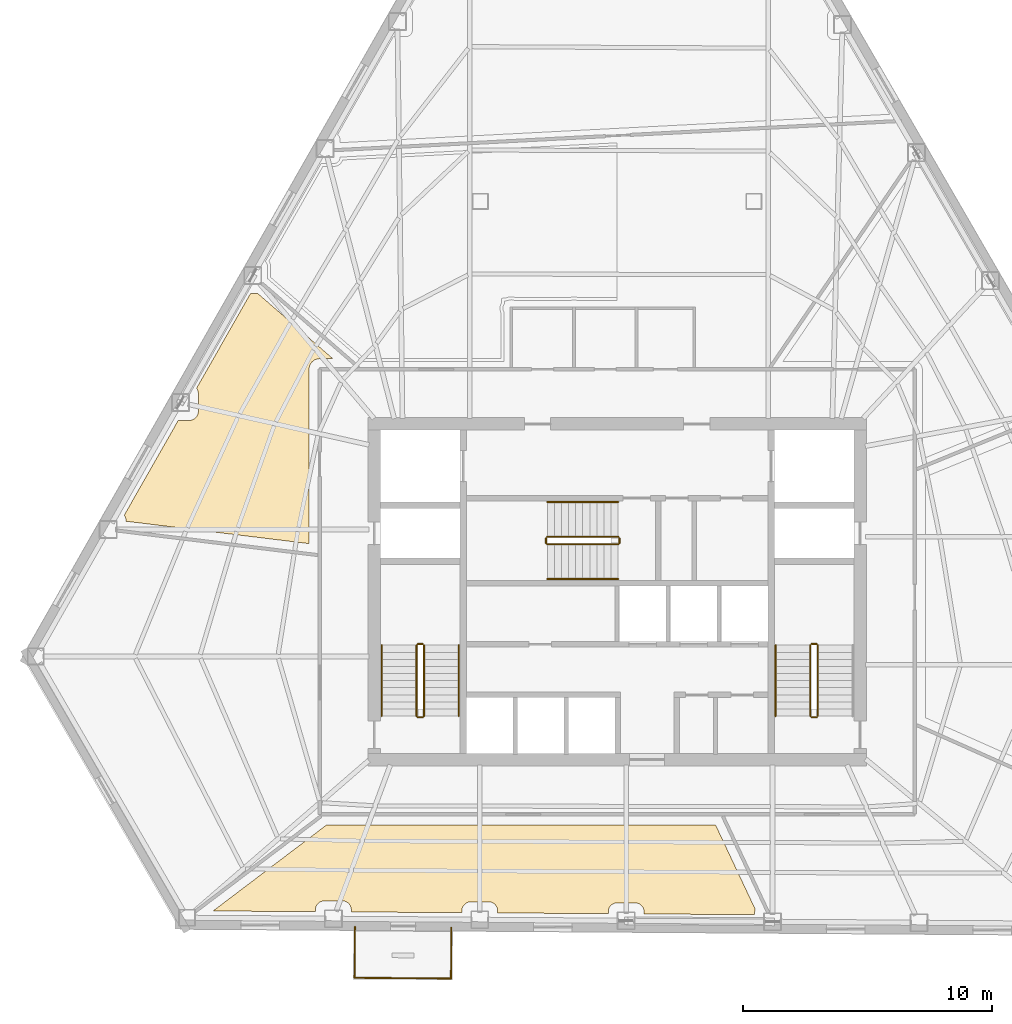
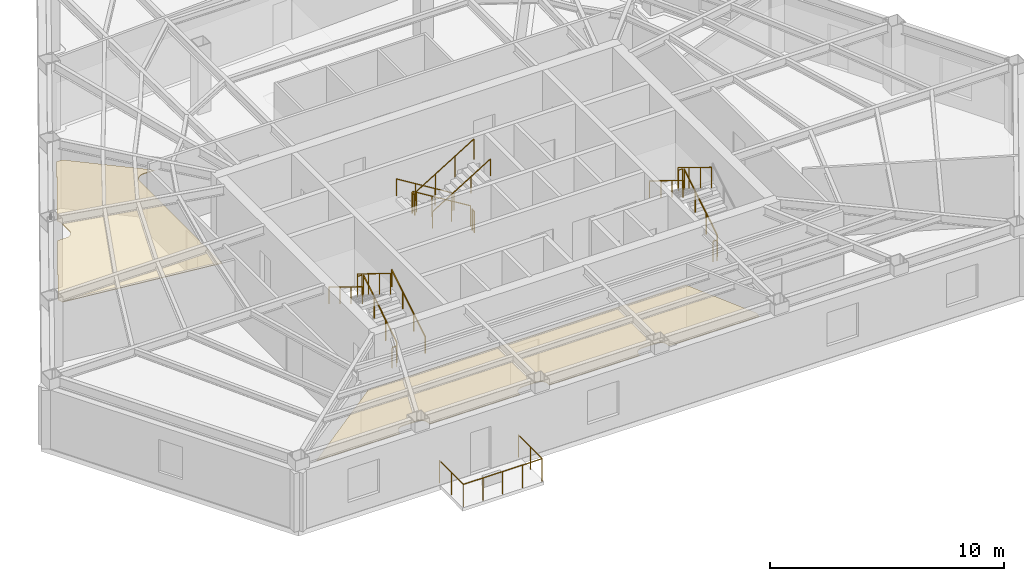
# One storey, part 8 of 9: 20 railings, 2 coverings.
"""IFC4 building model written with IfcOpenShell, lengths in metres."""

import ifcopenshell
import ifcopenshell.guid

model = None  # the IFC model being written
_history = None  # IfcOwnerHistory: only IFC2X3 demands one
_inside = {}  # id of a spatial element -> (the spatial element, [elements in it])
_under = {}  # id of a project, library or spatial element -> (it, [spatial elements below it])
_declared = {}  # id of a project -> (the project, [libraries it declares])
_typed = {}  # id of a type object -> (the type object, [elements of that type])
_made_of = {}  # id of a material, layer set ... -> (it, [elements and type objects made of it])


def new_model(schema):
    """Start an empty IFC model of exactly this schema.

    Asked for "IFC4X3", IfcOpenShell would pick the latest addendum, in which some entities
    have other attributes; the version numbers below select the first issue.
    IFC2X3 requires an IfcOwnerHistory on every rooted entity: one is made here for all.
    """
    global model, _history
    if schema == "IFC4X3":
        model = ifcopenshell.file(schema_version=(4, 3, 0, 0))
    else:
        model = ifcopenshell.file(schema=schema)
    _inside.clear()
    _under.clear()
    _declared.clear()
    _typed.clear()
    _made_of.clear()
    _history = None
    if model.schema == "IFC2X3":
        org = make("IfcOrganization", Name="unknown")
        user = make(
            "IfcPersonAndOrganization",
            ThePerson=make("IfcPerson", FamilyName="unknown"),
            TheOrganization=org,
        )
        app = make(
            "IfcApplication",
            ApplicationDeveloper=org,
            Version="unknown",
            ApplicationFullName="unknown",
            ApplicationIdentifier="unknown",
        )
        _history = make(
            "IfcOwnerHistory",
            OwningUser=user,
            OwningApplication=app,
            ChangeAction="ADDED",
            CreationDate=0,
        )
    return model


def make(cls, **values):
    """One entity of the class cls with the attributes given. An attribute that is None is left unset."""
    return model.create_entity(
        cls, **{name: value for name, value in values.items() if value is not None}
    )


def rooted(cls, **values):
    """An entity with a GlobalId (a new one), such as an element, a storey or a relation."""
    return make(cls, GlobalId=ifcopenshell.guid.new(), OwnerHistory=_history, **values)


def si_unit(unit_type, name, prefix=None):
    """IfcSIUnit, for example si_unit("LENGTHUNIT", "METRE", prefix="MILLI")."""
    return make("IfcSIUnit", UnitType=unit_type, Prefix=prefix, Name=name)


def assignment(units):
    """IfcUnitAssignment: the units of a project."""
    return None if units is None else make("IfcUnitAssignment", Units=units)


def point(xyz):
    """IfcCartesianPoint."""
    return None if xyz is None else make("IfcCartesianPoint", Coordinates=xyz)


def direction(xyz):
    """IfcDirection."""
    return None if xyz is None else make("IfcDirection", DirectionRatios=xyz)


def frame(location, z_axis=None, x_axis=None):
    """IfcAxis2Placement3D, a coordinate frame: its origin and axes. An axis left out is left unset."""
    return make(
        "IfcAxis2Placement3D",
        Location=point(location),
        Axis=direction(z_axis),
        RefDirection=direction(x_axis),
    )


def frame_2d(location, x_axis=None):
    """IfcAxis2Placement2D, a coordinate frame in the plane: its origin and x axis."""
    return make(
        "IfcAxis2Placement2D", Location=point(location), RefDirection=direction(x_axis)
    )


def origin():
    """The frame at (0, 0, 0) with its axes left unset."""
    return frame((0.0, 0.0, 0.0))


def origin_2d():
    """The frame at (0, 0) in the plane with its x axis left unset."""
    return frame_2d((0.0, 0.0))


def place(relative_to, where):
    """IfcLocalPlacement: puts the frame where relative to a parent placement (None: the world)."""
    return make(
        "IfcLocalPlacement", PlacementRelTo=relative_to, RelativePlacement=where
    )


def context(
    kind, dimensions, precision=None, world=None, true_north=None, identifier=None
):
    """IfcGeometricRepresentationContext, for example the 3D "Model" context."""
    return make(
        "IfcGeometricRepresentationContext",
        ContextIdentifier=identifier,
        ContextType=kind,
        CoordinateSpaceDimension=dimensions,
        Precision=precision,
        WorldCoordinateSystem=world,
        TrueNorth=true_north,
    )


def subcontext(parent, identifier, kind, view, scale=None):
    """IfcGeometricRepresentationSubContext, for example "Body" below "Model"."""
    return make(
        "IfcGeometricRepresentationSubContext",
        ContextIdentifier=identifier,
        ContextType=kind,
        ParentContext=parent,
        TargetScale=scale,
        TargetView=view,
    )


def project(units=None, contexts=None):
    """IfcProject with its units and contexts."""
    return rooted(
        "IfcProject",
        Name="project",
        RepresentationContexts=contexts,
        UnitsInContext=assignment(units),
    )


def spatial(cls, under=None, at=None, **own):
    """A site, building, storey or space (cls), placed at a placement, below another one or the project."""
    s = rooted(cls, ObjectPlacement=at, **own)
    if under is not None:
        _under.setdefault(under.id(), (under, []))[1].append(s)
    return s


def polyline(points):
    """IfcPolyline through the points."""
    return make("IfcPolyline", Points=[point(p) for p in points])


def profile(cls, at=None, kind="AREA", **sizes):
    """A parametric profile (cls). Its sizes go by their IFC names, for example OverallWidth=200.0."""
    return make(cls, ProfileType=kind, Position=at, **sizes)


def circle(**sizes):
    """IfcCircleProfileDef."""
    return profile("IfcCircleProfileDef", **sizes)


def outline(outer, holes=None, kind="AREA"):
    """IfcArbitraryClosedProfileDef: a profile drawn as a closed curve; with holes, ...WithVoids."""
    if holes is None:
        return make("IfcArbitraryClosedProfileDef", ProfileType=kind, OuterCurve=outer)
    return make(
        "IfcArbitraryProfileDefWithVoids",
        ProfileType=kind,
        OuterCurve=outer,
        InnerCurves=holes,
    )


def extrude(swept, where, along, depth):
    """IfcExtrudedAreaSolid: the profile swept, set in the frame where, extruded along a direction by depth."""
    return make(
        "IfcExtrudedAreaSolid",
        SweptArea=swept,
        Position=where,
        ExtrudedDirection=direction(along),
        Depth=depth,
    )


def shape(context_of_items, identifier, shape_type, items):
    """IfcShapeRepresentation: the items that make up one representation, for example the "Body"."""
    return make(
        "IfcShapeRepresentation",
        ContextOfItems=context_of_items,
        RepresentationIdentifier=identifier,
        RepresentationType=shape_type,
        Items=items,
    )


def material(Name=None, Category=None):
    """IfcMaterial."""
    return make("IfcMaterial", Name=Name, Category=Category)


def layer(
    of_material, thickness, ventilated=None, Name=None, Category=None, Priority=None
):
    """IfcMaterialLayer: one layer of a wall or slab, of a material (None: an air gap)."""
    return make(
        "IfcMaterialLayer",
        Material=of_material,
        LayerThickness=thickness,
        IsVentilated=ventilated,
        Name=Name,
        Category=Category,
        Priority=Priority,
    )


def layer_set(layers, Name=None):
    """IfcMaterialLayerSet."""
    return make("IfcMaterialLayerSet", MaterialLayers=layers, LayerSetName=Name)


def made_of(thing, what):
    """Note that an element or type object is made of a material, layer set ...; save() writes the relation."""
    if what is not None:
        _made_of.setdefault(what.id(), (what, []))[1].append(thing)
    return thing


def type_object(cls, material=None, **own):
    """A type object (cls), such as IfcWallType, which elements share."""
    return made_of(rooted(cls, **own), material)


def element(
    cls,
    number,
    at=None,
    inside=None,
    cuts=None,
    type_object=None,
    material=None,
    context=None,
    identifier="Body",
    shape_type=None,
    held_by="IfcProductDefinitionShape",
    body=None,
    shapes=None,
    **own,
):
    """One element of the class cls, such as IfcWall. Its Tag is "e" and its number.

    at: its placement. inside: the storey or other place that contains it. cuts: it is an
    opening in that element (IfcRelVoidsElement). A single representation is given by context,
    identifier, shape_type and body (its items); several are given by shapes. held_by: the class
    of the entity that holds the representations. save() writes the other relations.
    """
    e = rooted(cls, Tag="e%d" % number, ObjectPlacement=at, **own)
    if body is not None:
        shapes = [shape(context, identifier, shape_type, body)]
    if shapes is not None:
        e.Representation = make(held_by, Representations=shapes)
    if inside is not None:
        _inside.setdefault(inside.id(), (inside, []))[1].append(e)
    if cuts is not None:
        rooted(
            "IfcRelVoidsElement", RelatingBuildingElement=cuts, RelatedOpeningElement=e
        )
    if type_object is not None:
        _typed.setdefault(type_object.id(), (type_object, []))[1].append(e)
    return made_of(e, material)


def aggregate(whole, parts):
    """IfcRelAggregates: a whole, such as a stair, and the parts it consists of."""
    return rooted("IfcRelAggregates", RelatingObject=whole, RelatedObjects=parts)


def save(model, path):
    """Write the relations noted so far, then the file.

    IfcRelAggregates (storeys below a building ...), IfcRelContainedInSpatialStructure (elements
    in a storey), IfcRelDefinesByType, IfcRelAssociatesMaterial and IfcRelDeclares: one each for
    every whole, place, type object, material and project.
    """
    for whole, parts in _under.values():
        aggregate(whole, parts)
    for where, things in _inside.values():
        rooted(
            "IfcRelContainedInSpatialStructure",
            RelatedElements=things,
            RelatingStructure=where,
        )
    for kind, things in _typed.values():
        rooted("IfcRelDefinesByType", RelatedObjects=things, RelatingType=kind)
    for what, things in _made_of.values():
        rooted("IfcRelAssociatesMaterial", RelatedObjects=things, RelatingMaterial=what)
    for by, libraries in _declared.values():
        rooted("IfcRelDeclares", RelatingContext=by, RelatedDefinitions=libraries)
    model.write(path)


model = new_model("IFC4")

# Units and contexts
model_context = context("Model", 3, precision=1e-05, world=origin(), true_north=direction((0.0, 1.0)))
body_context = subcontext(model_context, "Body", "Model", "MODEL_VIEW")
ifc_project = project(units=[si_unit("LENGTHUNIT", "METRE"), si_unit("AREAUNIT", "SQUARE_METRE"), si_unit("VOLUMEUNIT", "CUBIC_METRE"), si_unit("PLANEANGLEUNIT", "RADIAN"), si_unit("MASSUNIT", "GRAM", prefix="KILO")], contexts=[model_context])

# Site, building, storey
site_placement = place(None, origin())
site = spatial("IfcSite", under=ifc_project, at=site_placement, CompositionType="ELEMENT")
building_placement = place(site_placement, origin())
building = spatial("IfcBuilding", under=site, at=building_placement, Name="Kavelnor Concourse Tower", CompositionType="ELEMENT")
storey_placement = place(building_placement, frame((0.0, 0.0, 112.449951171875)))
storey = spatial("IfcBuildingStorey", under=building, at=storey_placement, Name="L28", CompositionType="ELEMENT", Elevation=112.449951171875)

# Coverings
ifc_material_1 = material(Name="Mineral fibre acoustic ceiling tile")
ifc_layer = layer(ifc_material_1, 0.0400390625, Name="Mineral fibre acoustic ceiling tile")
ifc_layer_set = layer_set([ifc_layer], Name="Mineral fibre acoustic ceiling tile")
covering_type = type_object("IfcCoveringType", Name="COV-CEILING-ACOUSTIC", PredefinedType="CEILING", material=ifc_layer_set)
covering_1_placement = place(storey_placement, frame((0.0, 0.0, 2.75)))
element("IfcCovering", 1, at=covering_1_placement, inside=storey, type_object=covering_type, Name="L28 Suspended Acoustic Ceiling", PredefinedType="CEILING", context=body_context, shape_type="SweptSolid", body=[
    extrude(outline(polyline([(20.344482421875, 22.99365234375), (20.80078125, 22.99365234375), (20.82763671875, 22.994873046875), (20.86279296875, 23.0), (20.89697265625, 23.0087890625), (20.930419921875, 23.0205078125), (20.96240234375, 23.03564453125), (20.99267578125, 23.053955078125), (21.02099609375, 23.074951171875), (21.047119140625, 23.098876953125), (21.071044921875, 23.125), (21.092041015625, 23.1533203125), (21.1103515625, 23.18359375), (21.12548828125, 23.2158203125), (21.13720703125, 23.2490234375), (21.14599609375, 23.283203125), (21.151123046875, 23.318359375), (21.15234375, 23.34521484375), (21.15234375, 24.081787109375), (21.151123046875, 24.10888671875), (21.14599609375, 24.143798828125), (21.13720703125, 24.17822265625), (21.12548828125, 24.21142578125), (21.1103515625, 24.243408203125), (21.092041015625, 24.273681640625), (21.081787109375, 24.287841796875), (23.253662109375, 28.101318359375), (23.5380859375, 28.101318359375), (26.567138671875, 25.472412109375), (26.021728515625, 25.472412109375), (25.988525390625, 25.470947265625), (25.947509765625, 25.46484375), (25.9072265625, 25.45458984375), (25.8681640625, 25.440673828125), (25.83056640625, 25.423095703125), (25.794921875, 25.401611328125), (25.76171875, 25.376953125), (25.73095703125, 25.34912109375), (25.703125, 25.318359375), (25.678466796875, 25.284912109375), (25.656982421875, 25.24951171875), (25.639404296875, 25.2119140625), (25.625244140625, 25.1728515625), (25.615234375, 25.132568359375), (25.609130859375, 25.091552734375), (25.607421875, 25.058349609375), (25.607421875, 18.03466796875), (18.243408203125, 18.935791015625), (18.243408203125, 18.97412109375), (18.2421875, 19.001220703125), (18.23681640625, 19.0361328125), (18.228271484375, 19.0703125), (18.21630859375, 19.103759765625), (18.201416015625, 19.1357421875), (18.18310546875, 19.166015625), (18.172607421875, 19.18017578125), (20.344482421875, 22.99365234375)])), origin(), (0.0, 0.0, 1.0), 0.0400390625),
])
covering_2_placement = place(storey_placement, frame((0.0, 0.0, 2.75)))
element("IfcCovering", 2, at=covering_2_placement, inside=storey, type_object=covering_type, Name="L28 Suspended Acoustic Ceiling", PredefinedType="CEILING", context=body_context, shape_type="SweptSolid", body=[
    extrude(outline(polyline([(26.320556640625, 6.7275390625), (41.95361328125, 6.7275390625), (43.556396484375, 3.32275390625), (43.544677734375, 3.28955078125), (43.535888671875, 3.255126953125), (43.53076171875, 3.22021484375), (43.529541015625, 3.193115234375), (43.529541015625, 3.10986328125), (39.081298828125, 3.140380859375), (39.081298828125, 3.2333984375), (39.080078125, 3.260498046875), (39.074951171875, 3.29541015625), (39.06640625, 3.329833984375), (39.054443359375, 3.363037109375), (39.039306640625, 3.39501953125), (39.02099609375, 3.42529296875), (39.0, 3.453857421875), (38.976318359375, 3.47998046875), (38.949951171875, 3.50390625), (38.921630859375, 3.52490234375), (38.891357421875, 3.543212890625), (38.859375, 3.55810546875), (38.825927734375, 3.570068359375), (38.791748046875, 3.57861328125), (38.756591796875, 3.583984375), (38.729736328125, 3.585205078125), (37.9931640625, 3.585205078125), (37.966064453125, 3.583984375), (37.93115234375, 3.57861328125), (37.896728515625, 3.570068359375), (37.863525390625, 3.55810546875), (37.83154296875, 3.543212890625), (37.80126953125, 3.52490234375), (37.772705078125, 3.50390625), (37.74658203125, 3.47998046875), (37.722900390625, 3.453857421875), (37.70166015625, 3.42529296875), (37.68359375, 3.39501953125), (37.66845703125, 3.363037109375), (37.656494140625, 3.329833984375), (37.64794921875, 3.29541015625), (37.642578125, 3.260498046875), (37.641357421875, 3.2333984375), (37.641357421875, 3.150146484375), (33.193115234375, 3.1806640625), (33.193115234375, 3.273681640625), (33.19189453125, 3.30078125), (33.186767578125, 3.335693359375), (33.177978515625, 3.3701171875), (33.166259765625, 3.4033203125), (33.151123046875, 3.435302734375), (33.1328125, 3.4658203125), (33.11181640625, 3.494140625), (33.087890625, 3.520263671875), (33.061767578125, 3.544189453125), (33.033447265625, 3.565185546875), (33.003173828125, 3.58349609375), (32.97119140625, 3.598388671875), (32.937744140625, 3.6103515625), (32.903564453125, 3.618896484375), (32.868408203125, 3.624267578125), (32.841552734375, 3.62548828125), (32.10498046875, 3.62548828125), (32.077880859375, 3.624267578125), (32.04296875, 3.618896484375), (32.008544921875, 3.6103515625), (31.975341796875, 3.598388671875), (31.943359375, 3.58349609375), (31.9130859375, 3.565185546875), (31.884521484375, 3.544189453125), (31.8583984375, 3.520263671875), (31.834716796875, 3.494140625), (31.8134765625, 3.4658203125), (31.79541015625, 3.435302734375), (31.7802734375, 3.4033203125), (31.768310546875, 3.3701171875), (31.759765625, 3.335693359375), (31.75439453125, 3.30078125), (31.753173828125, 3.273681640625), (31.753173828125, 3.1904296875), (27.304931640625, 3.220703125), (27.304931640625, 3.31396484375), (27.3037109375, 3.341064453125), (27.298583984375, 3.3759765625), (27.289794921875, 3.410400390625), (27.278076171875, 3.443603515625), (27.262939453125, 3.4755859375), (27.24462890625, 3.505859375), (27.2236328125, 3.5341796875), (27.19970703125, 3.560546875), (27.173583984375, 3.584228515625), (27.145263671875, 3.60546875), (27.114990234375, 3.62353515625), (27.0830078125, 3.638671875), (27.049560546875, 3.650634765625), (27.015380859375, 3.6591796875), (26.980224609375, 3.664306640625), (26.953369140625, 3.665771484375), (26.216796875, 3.665771484375), (26.189697265625, 3.664306640625), (26.15478515625, 3.6591796875), (26.120361328125, 3.650634765625), (26.087158203125, 3.638671875), (26.05517578125, 3.62353515625), (26.02490234375, 3.60546875), (25.996337890625, 3.584228515625), (25.97021484375, 3.560546875), (25.9462890625, 3.5341796875), (25.92529296875, 3.505859375), (25.906982421875, 3.4755859375), (25.89208984375, 3.443603515625), (25.880126953125, 3.410400390625), (25.87158203125, 3.3759765625), (25.8662109375, 3.341064453125), (25.864990234375, 3.31396484375), (25.864990234375, 3.230712890625), (21.743896484375, 3.2587890625), (26.320556640625, 6.7275390625)])), origin(), (0.0, 0.0, 1.0), 0.0400390625),
])

# Railings
ifc_material_2 = material(Name="Steel Grade 350", Category="steel")
railing_type_1 = type_object("IfcRailingType", Name="RLG-GUARD-1100", PredefinedType="GUARDRAIL", material=ifc_material_2)
railing_1_placement = place(storey_placement, frame((30.22998046875, 11.10009765625, 0.175048828125)))
element("IfcRailing", 3, at=railing_1_placement, inside=storey, type_object=railing_type_1, Name="L28 ST1 stair guard 1", PredefinedType="GUARDRAIL", context=body_context, shape_type="SweptSolid", body=[
    extrude(circle(Radius=0.02392578125, at=origin_2d()), frame((0.0, 0.0, 1.076171875), z_axis=(0.0, 0.852159232446, 0.523282564737), x_axis=(-1.0, 0.0, 0.0)), (0.0, 0.0, 1.0), 3.34423828125),
    extrude(circle(Radius=0.02099609375, at=origin_2d()), origin(), (0.0, 0.0, 1.0), 1.052001953125),
    extrude(circle(Radius=0.02099609375, at=origin_2d()), frame((0.0, 0.949951171875, 0.583251953125)), (0.0, 0.0, 1.0), 1.052001953125),
    extrude(circle(Radius=0.02099609375, at=origin_2d()), frame((0.0, 1.89990234375, 1.166748046875)), (0.0, 0.0, 1.0), 1.052001953125),
    extrude(circle(Radius=0.02099609375, at=origin_2d()), frame((0.0, 2.849853515625, 1.75)), (0.0, 0.0, 1.0), 1.052001953125),
])
railing_2_placement = place(storey_placement, frame((30.179931640625, 14.0, 1.925048828125)))
element("IfcRailing", 4, at=railing_2_placement, inside=storey, type_object=railing_type_1, Name="L28 ST1 stair guard 2", PredefinedType="GUARDRAIL", context=body_context, shape_type="SweptSolid", body=[
    extrude(circle(Radius=0.02392578125, at=origin_2d()), frame((0.0, 0.0, 1.076171875), z_axis=(-1.0, 0.0, 0.0), x_axis=(0.0, -1.0, 0.0)), (0.0, 0.0, 1.0), 0.199951171875),
    extrude(circle(Radius=0.02099609375, at=origin_2d()), origin(), (0.0, 0.0, 1.0), 1.052001953125),
    extrude(circle(Radius=0.02099609375, at=origin_2d()), frame((-0.199951171875, 0.0, 0.0)), (0.0, 0.0, 1.0), 1.052001953125),
])
railing_3_placement = place(storey_placement, frame((29.929931640625, 13.949951171875, 2.10009765625)))
element("IfcRailing", 5, at=railing_3_placement, inside=storey, type_object=railing_type_1, Name="L28 ST1 stair guard 3", PredefinedType="GUARDRAIL", context=body_context, shape_type="SweptSolid", body=[
    extrude(circle(Radius=0.02392578125, at=origin_2d()), frame((0.0, 0.0, 1.076171875), z_axis=(0.0, -0.852159232446, 0.523282564737), x_axis=(1.0, 0.0, 0.0)), (0.0, 0.0, 1.0), 3.34423828125),
    extrude(circle(Radius=0.02099609375, at=origin_2d()), origin(), (0.0, 0.0, 1.0), 1.052001953125),
    extrude(circle(Radius=0.02099609375, at=origin_2d()), frame((0.0, -0.949951171875, 0.583251953125)), (0.0, 0.0, 1.0), 1.052001953125),
    extrude(circle(Radius=0.02099609375, at=origin_2d()), frame((0.0, -1.89990234375, 1.166748046875)), (0.0, 0.0, 1.0), 1.052001953125),
    extrude(circle(Radius=0.02099609375, at=origin_2d()), frame((0.0, -2.849853515625, 1.75)), (0.0, 0.0, 1.0), 1.052001953125),
])
railing_4_placement = place(storey_placement, frame((30.179931640625, 11.050048828125, 0.0)))
element("IfcRailing", 6, at=railing_4_placement, inside=storey, type_object=railing_type_1, Name="L28 ST1 stair guard 4", PredefinedType="GUARDRAIL", context=body_context, shape_type="SweptSolid", body=[
    extrude(circle(Radius=0.02392578125, at=origin_2d()), frame((0.0, 0.0, 1.076171875), z_axis=(-1.0, 0.0, 0.0), x_axis=(0.0, -1.0, 0.0)), (0.0, 0.0, 1.0), 0.199951171875),
    extrude(circle(Radius=0.02099609375, at=origin_2d()), origin(), (0.0, 0.0, 1.0), 1.052001953125),
    extrude(circle(Radius=0.02099609375, at=origin_2d()), frame((-0.199951171875, 0.0, 0.0)), (0.0, 0.0, 1.0), 1.052001953125),
])
railing_5_placement = place(storey_placement, frame((46.070068359375, 11.10009765625, 0.175048828125)))
element("IfcRailing", 7, at=railing_5_placement, inside=storey, type_object=railing_type_1, Name="L28 ST2 stair guard 1", PredefinedType="GUARDRAIL", context=body_context, shape_type="SweptSolid", body=[
    extrude(circle(Radius=0.02392578125, at=origin_2d()), frame((0.0, 0.0, 1.076171875), z_axis=(0.0, 0.852159232446, 0.523282564737), x_axis=(-1.0, 0.0, 0.0)), (0.0, 0.0, 1.0), 3.34423828125),
    extrude(circle(Radius=0.02099609375, at=origin_2d()), origin(), (0.0, 0.0, 1.0), 1.052001953125),
    extrude(circle(Radius=0.02099609375, at=origin_2d()), frame((0.0, 0.949951171875, 0.583251953125)), (0.0, 0.0, 1.0), 1.052001953125),
    extrude(circle(Radius=0.02099609375, at=origin_2d()), frame((0.0, 1.89990234375, 1.166748046875)), (0.0, 0.0, 1.0), 1.052001953125),
    extrude(circle(Radius=0.02099609375, at=origin_2d()), frame((0.0, 2.849853515625, 1.75)), (0.0, 0.0, 1.0), 1.052001953125),
])
railing_6_placement = place(storey_placement, frame((46.02001953125, 14.0, 1.925048828125)))
element("IfcRailing", 8, at=railing_6_placement, inside=storey, type_object=railing_type_1, Name="L28 ST2 stair guard 2", PredefinedType="GUARDRAIL", context=body_context, shape_type="SweptSolid", body=[
    extrude(circle(Radius=0.02392578125, at=origin_2d()), frame((0.0, 0.0, 1.076171875), z_axis=(-1.0, 0.0, 0.0), x_axis=(0.0, -1.0, 0.0)), (0.0, 0.0, 1.0), 0.199951171875),
    extrude(circle(Radius=0.02099609375, at=origin_2d()), origin(), (0.0, 0.0, 1.0), 1.052001953125),
    extrude(circle(Radius=0.02099609375, at=origin_2d()), frame((-0.199951171875, 0.0, 0.0)), (0.0, 0.0, 1.0), 1.052001953125),
])
railing_7_placement = place(storey_placement, frame((45.77001953125, 13.949951171875, 2.10009765625)))
element("IfcRailing", 9, at=railing_7_placement, inside=storey, type_object=railing_type_1, Name="L28 ST2 stair guard 3", PredefinedType="GUARDRAIL", context=body_context, shape_type="SweptSolid", body=[
    extrude(circle(Radius=0.02392578125, at=origin_2d()), frame((0.0, 0.0, 1.076171875), z_axis=(0.0, -0.852159232446, 0.523282564737), x_axis=(1.0, 0.0, 0.0)), (0.0, 0.0, 1.0), 3.34423828125),
    extrude(circle(Radius=0.02099609375, at=origin_2d()), origin(), (0.0, 0.0, 1.0), 1.052001953125),
    extrude(circle(Radius=0.02099609375, at=origin_2d()), frame((0.0, -0.949951171875, 0.583251953125)), (0.0, 0.0, 1.0), 1.052001953125),
    extrude(circle(Radius=0.02099609375, at=origin_2d()), frame((0.0, -1.89990234375, 1.166748046875)), (0.0, 0.0, 1.0), 1.052001953125),
    extrude(circle(Radius=0.02099609375, at=origin_2d()), frame((0.0, -2.849853515625, 1.75)), (0.0, 0.0, 1.0), 1.052001953125),
])
railing_8_placement = place(storey_placement, frame((46.02001953125, 11.050048828125, 0.0)))
element("IfcRailing", 10, at=railing_8_placement, inside=storey, type_object=railing_type_1, Name="L28 ST2 stair guard 4", PredefinedType="GUARDRAIL", context=body_context, shape_type="SweptSolid", body=[
    extrude(circle(Radius=0.02392578125, at=origin_2d()), frame((0.0, 0.0, 1.076171875), z_axis=(-1.0, 0.0, 0.0), x_axis=(0.0, -1.0, 0.0)), (0.0, 0.0, 1.0), 0.199951171875),
    extrude(circle(Radius=0.02099609375, at=origin_2d()), origin(), (0.0, 0.0, 1.0), 1.052001953125),
    extrude(circle(Radius=0.02099609375, at=origin_2d()), frame((-0.199951171875, 0.0, 0.0)), (0.0, 0.0, 1.0), 1.052001953125),
])
railing_9_placement = place(storey_placement, frame((38.0400390625, 18.31005859375, 0.175048828125)))
element("IfcRailing", 11, at=railing_9_placement, inside=storey, type_object=railing_type_1, Name="L28 ST3 stair guard 1", PredefinedType="GUARDRAIL", context=body_context, shape_type="SweptSolid", body=[
    extrude(circle(Radius=0.02392578125, at=origin_2d()), frame((0.0, 0.0, 1.076171875), z_axis=(-0.852179220489, 0.0, 0.52325001306), x_axis=(0.0, -1.0, 0.0)), (0.0, 0.0, 1.0), 3.344482421875),
    extrude(circle(Radius=0.02099609375, at=origin_2d()), origin(), (0.0, 0.0, 1.0), 1.052001953125),
    extrude(circle(Radius=0.02099609375, at=origin_2d()), frame((-0.949951171875, 0.0, 0.583251953125)), (0.0, 0.0, 1.0), 1.052001953125),
    extrude(circle(Radius=0.02099609375, at=origin_2d()), frame((-1.900146484375, 0.0, 1.166748046875)), (0.0, 0.0, 1.0), 1.052001953125),
    extrude(circle(Radius=0.02099609375, at=origin_2d()), frame((-2.85009765625, 0.0, 1.75)), (0.0, 0.0, 1.0), 1.052001953125),
])
railing_10_placement = place(storey_placement, frame((35.139892578125, 18.260009765625, 1.925048828125)))
element("IfcRailing", 12, at=railing_10_placement, inside=storey, type_object=railing_type_1, Name="L28 ST3 stair guard 2", PredefinedType="GUARDRAIL", context=body_context, shape_type="SweptSolid", body=[
    extrude(circle(Radius=0.02392578125, at=origin_2d()), frame((0.0, 0.0, 1.076171875), z_axis=(0.0, -1.0, 0.0), x_axis=(1.0, 0.0, 0.0)), (0.0, 0.0, 1.0), 0.199951171875),
    extrude(circle(Radius=0.02099609375, at=origin_2d()), origin(), (0.0, 0.0, 1.0), 1.052001953125),
    extrude(circle(Radius=0.02099609375, at=origin_2d()), frame((0.0, -0.199951171875, 0.0)), (0.0, 0.0, 1.0), 1.052001953125),
])
railing_11_placement = place(storey_placement, frame((35.18994140625, 18.010009765625, 2.10009765625)))
element("IfcRailing", 13, at=railing_11_placement, inside=storey, type_object=railing_type_1, Name="L28 ST3 stair guard 3", PredefinedType="GUARDRAIL", context=body_context, shape_type="SweptSolid", body=[
    extrude(circle(Radius=0.02392578125, at=origin_2d()), frame((0.0, 0.0, 1.076171875), z_axis=(0.852179220489, 0.0, 0.52325001306), x_axis=(0.0, 1.0, 0.0)), (0.0, 0.0, 1.0), 3.344482421875),
    extrude(circle(Radius=0.02099609375, at=origin_2d()), origin(), (0.0, 0.0, 1.0), 1.052001953125),
    extrude(circle(Radius=0.02099609375, at=origin_2d()), frame((0.949951171875, 0.0, 0.583251953125)), (0.0, 0.0, 1.0), 1.052001953125),
    extrude(circle(Radius=0.02099609375, at=origin_2d()), frame((1.900146484375, 0.0, 1.166748046875)), (0.0, 0.0, 1.0), 1.052001953125),
    extrude(circle(Radius=0.02099609375, at=origin_2d()), frame((2.85009765625, 0.0, 1.75)), (0.0, 0.0, 1.0), 1.052001953125),
])
railing_12_placement = place(storey_placement, frame((38.090087890625, 18.260009765625, 0.0)))
element("IfcRailing", 14, at=railing_12_placement, inside=storey, type_object=railing_type_1, Name="L28 ST3 stair guard 4", PredefinedType="GUARDRAIL", context=body_context, shape_type="SweptSolid", body=[
    extrude(circle(Radius=0.02392578125, at=origin_2d()), frame((0.0, 0.0, 1.076171875), z_axis=(0.0, -1.0, 0.0), x_axis=(1.0, 0.0, 0.0)), (0.0, 0.0, 1.0), 0.199951171875),
    extrude(circle(Radius=0.02099609375, at=origin_2d()), origin(), (0.0, 0.0, 1.0), 1.052001953125),
    extrude(circle(Radius=0.02099609375, at=origin_2d()), frame((0.0, -0.199951171875, 0.0)), (0.0, 0.0, 1.0), 1.052001953125),
])
railing_type_2 = type_object("IfcRailingType", Name="RLG-HANDRAIL-900", PredefinedType="HANDRAIL", material=ifc_material_2)
railing_13_placement = place(storey_placement, frame((31.6298828125, 11.10009765625, 0.175048828125)))
element("IfcRailing", 15, at=railing_13_placement, inside=storey, type_object=railing_type_2, Name="L28 ST1 stair handrail 1", PredefinedType="HANDRAIL", context=body_context, shape_type="SweptSolid", body=[
    extrude(circle(Radius=0.02392578125, at=origin_2d()), frame((0.0, 0.0, 0.8759765625), z_axis=(0.0, 0.852159232446, 0.523282564737), x_axis=(-1.0, 0.0, 0.0)), (0.0, 0.0, 1.0), 3.34423828125),
    extrude(circle(Radius=0.02099609375, at=origin_2d()), origin(), (0.0, 0.0, 1.0), 0.851806640625),
    extrude(circle(Radius=0.02099609375, at=origin_2d()), frame((0.0, 0.949951171875, 0.583251953125)), (0.0, 0.0, 1.0), 0.851806640625),
    extrude(circle(Radius=0.02099609375, at=origin_2d()), frame((0.0, 1.89990234375, 1.166748046875)), (0.0, 0.0, 1.0), 0.851806640625),
    extrude(circle(Radius=0.02099609375, at=origin_2d()), frame((0.0, 2.849853515625, 1.75)), (0.0, 0.0, 1.0), 0.851806640625),
])
for number, where, name in (
    (16, (28.530029296875, 13.949951171875, 2.10009765625), "L28 ST1 stair handrail 2"),
    (17, (44.3701171875, 13.949951171875, 2.10009765625), "L28 ST2 stair handrail 2"),
):
    element("IfcRailing", number, at=place(storey_placement, frame(where)), inside=storey, type_object=railing_type_2, Name=name, PredefinedType="HANDRAIL", context=body_context, shape_type="SweptSolid", body=[
        extrude(circle(Radius=0.02392578125, at=origin_2d()), frame((0.0, 0.0, 0.8759765625), z_axis=(0.0, -0.852159232446, 0.523282564737), x_axis=(1.0, 0.0, 0.0)), (0.0, 0.0, 1.0), 3.34423828125),
        extrude(circle(Radius=0.02099609375, at=origin_2d()), origin(), (0.0, 0.0, 1.0), 0.851806640625),
        extrude(circle(Radius=0.02099609375, at=origin_2d()), frame((0.0, -0.949951171875, 0.583251953125)), (0.0, 0.0, 1.0), 0.851806640625),
        extrude(circle(Radius=0.02099609375, at=origin_2d()), frame((0.0, -1.89990234375, 1.166748046875)), (0.0, 0.0, 1.0), 0.851806640625),
        extrude(circle(Radius=0.02099609375, at=origin_2d()), frame((0.0, -2.849853515625, 1.75)), (0.0, 0.0, 1.0), 0.851806640625),
    ])
railing_14_placement = place(storey_placement, frame((38.0400390625, 19.7099609375, 0.175048828125)))
element("IfcRailing", 18, at=railing_14_placement, inside=storey, type_object=railing_type_2, Name="L28 ST3 stair handrail 1", PredefinedType="HANDRAIL", context=body_context, shape_type="SweptSolid", body=[
    extrude(circle(Radius=0.02392578125, at=origin_2d()), frame((0.0, 0.0, 0.8759765625), z_axis=(-0.852179220489, 0.0, 0.52325001306), x_axis=(0.0, -1.0, 0.0)), (0.0, 0.0, 1.0), 3.344482421875),
    extrude(circle(Radius=0.02099609375, at=origin_2d()), origin(), (0.0, 0.0, 1.0), 0.851806640625),
    extrude(circle(Radius=0.02099609375, at=origin_2d()), frame((-0.949951171875, 0.0, 0.583251953125)), (0.0, 0.0, 1.0), 0.851806640625),
    extrude(circle(Radius=0.02099609375, at=origin_2d()), frame((-1.900146484375, 0.0, 1.166748046875)), (0.0, 0.0, 1.0), 0.851806640625),
    extrude(circle(Radius=0.02099609375, at=origin_2d()), frame((-2.85009765625, 0.0, 1.75)), (0.0, 0.0, 1.0), 0.851806640625),
])
railing_15_placement = place(storey_placement, frame((35.18994140625, 16.610107421875, 2.10009765625)))
element("IfcRailing", 19, at=railing_15_placement, inside=storey, type_object=railing_type_2, Name="L28 ST3 stair handrail 2", PredefinedType="HANDRAIL", context=body_context, shape_type="SweptSolid", body=[
    extrude(circle(Radius=0.02392578125, at=origin_2d()), frame((0.0, 0.0, 0.8759765625), z_axis=(0.852179220489, 0.0, 0.52325001306), x_axis=(0.0, 1.0, 0.0)), (0.0, 0.0, 1.0), 3.344482421875),
    extrude(circle(Radius=0.02099609375, at=origin_2d()), origin(), (0.0, 0.0, 1.0), 0.851806640625),
    extrude(circle(Radius=0.02099609375, at=origin_2d()), frame((0.949951171875, 0.0, 0.583251953125)), (0.0, 0.0, 1.0), 0.851806640625),
    extrude(circle(Radius=0.02099609375, at=origin_2d()), frame((1.900146484375, 0.0, 1.166748046875)), (0.0, 0.0, 1.0), 0.851806640625),
    extrude(circle(Radius=0.02099609375, at=origin_2d()), frame((2.85009765625, 0.0, 1.75)), (0.0, 0.0, 1.0), 0.851806640625),
])
ifc_material_3 = material(Name="Architectural bronze-anodised aluminium", Category="aluminium")
railing_type_3 = type_object("IfcRailingType", Name="RLG-TERRACE-1200", PredefinedType="BALUSTRADE", material=ifc_material_3)
railing_16_placement = place(storey_placement, frame((27.451416015625, 2.619873046875, 0.0)))
element("IfcRailing", 20, at=railing_16_placement, inside=storey, type_object=railing_type_3, Name="L28 Tree Balcony 1 Guardrail L", PredefinedType="BALUSTRADE", context=body_context, shape_type="SweptSolid", body=[
    extrude(circle(Radius=0.02392578125, at=origin_2d()), frame((0.0, 0.0, 1.17578125), z_axis=(-0.006907064007, -0.999976145949, 0.0), x_axis=(0.999976145949, -0.006907064007, 0.0)), (0.0, 0.0, 1.0), 2.050048828125),
    extrude(circle(Radius=0.02099609375, at=origin_2d()), origin(), (0.0, 0.0, 1.0), 1.15185546875),
    extrude(circle(Radius=0.02099609375, at=origin_2d()), frame((-0.007080078125, -1.02490234375, 0.0)), (0.0, 0.0, 1.0), 1.15185546875),
    extrude(circle(Radius=0.02099609375, at=origin_2d()), frame((-0.01416015625, -2.050048828125, 0.0)), (0.0, 0.0, 1.0), 1.15185546875),
])
railing_17_placement = place(storey_placement, frame((27.437255859375, 0.56982421875, 0.0)))
element("IfcRailing", 21, at=railing_17_placement, inside=storey, type_object=railing_type_3, Name="L28 Tree Balcony 1 Guardrail F", PredefinedType="BALUSTRADE", context=body_context, shape_type="SweptSolid", body=[
    extrude(circle(Radius=0.02392578125, at=origin_2d()), frame((0.0, 0.0, 1.17578125), z_axis=(0.999976479283, -0.006858635555, 0.0), x_axis=(0.006858635555, 0.999976479283, 0.0)), (0.0, 0.0, 1.0), 3.8798828125),
    extrude(circle(Radius=0.02099609375, at=origin_2d()), origin(), (0.0, 0.0, 1.0), 1.15185546875),
    extrude(circle(Radius=0.02099609375, at=origin_2d()), frame((0.969970703125, -0.006591796875, 0.0)), (0.0, 0.0, 1.0), 1.15185546875),
    extrude(circle(Radius=0.02099609375, at=origin_2d()), frame((1.93994140625, -0.01318359375, 0.0)), (0.0, 0.0, 1.0), 1.15185546875),
    extrude(circle(Radius=0.02099609375, at=origin_2d()), frame((2.909912109375, -0.02001953125, 0.0)), (0.0, 0.0, 1.0), 1.15185546875),
    extrude(circle(Radius=0.02099609375, at=origin_2d()), frame((3.8798828125, -0.026611328125, 0.0)), (0.0, 0.0, 1.0), 1.15185546875),
])
railing_18_placement = place(storey_placement, frame((31.317138671875, 0.543212890625, 0.0)))
element("IfcRailing", 22, at=railing_18_placement, inside=storey, type_object=railing_type_3, Name="L28 Tree Balcony 1 Guardrail R", PredefinedType="BALUSTRADE", context=body_context, shape_type="SweptSolid", body=[
    extrude(circle(Radius=0.02392578125, at=origin_2d()), frame((0.0, 0.0, 1.17578125), z_axis=(0.006907064007, 0.999976145949, 0.0), x_axis=(-0.999976145949, 0.006907064007, 0.0)), (0.0, 0.0, 1.0), 2.050048828125),
    extrude(circle(Radius=0.02099609375, at=origin_2d()), origin(), (0.0, 0.0, 1.0), 1.15185546875),
    extrude(circle(Radius=0.02099609375, at=origin_2d()), frame((0.007080078125, 1.02490234375, 0.0)), (0.0, 0.0, 1.0), 1.15185546875),
    extrude(circle(Radius=0.02099609375, at=origin_2d()), frame((0.01416015625, 2.050048828125, 0.0)), (0.0, 0.0, 1.0), 1.15185546875),
])

save(model, "model.ifc")
